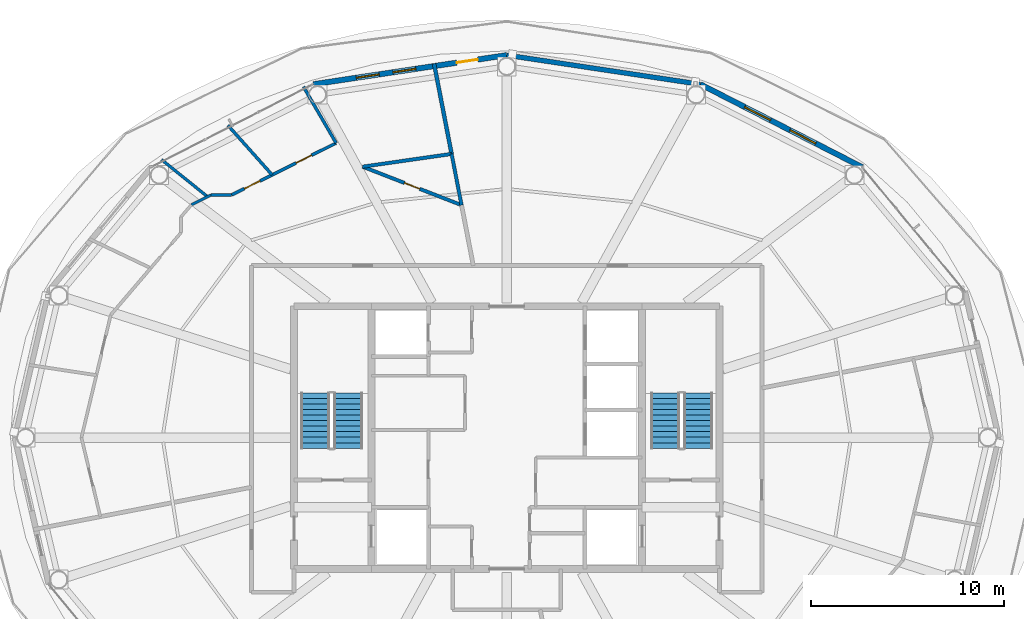
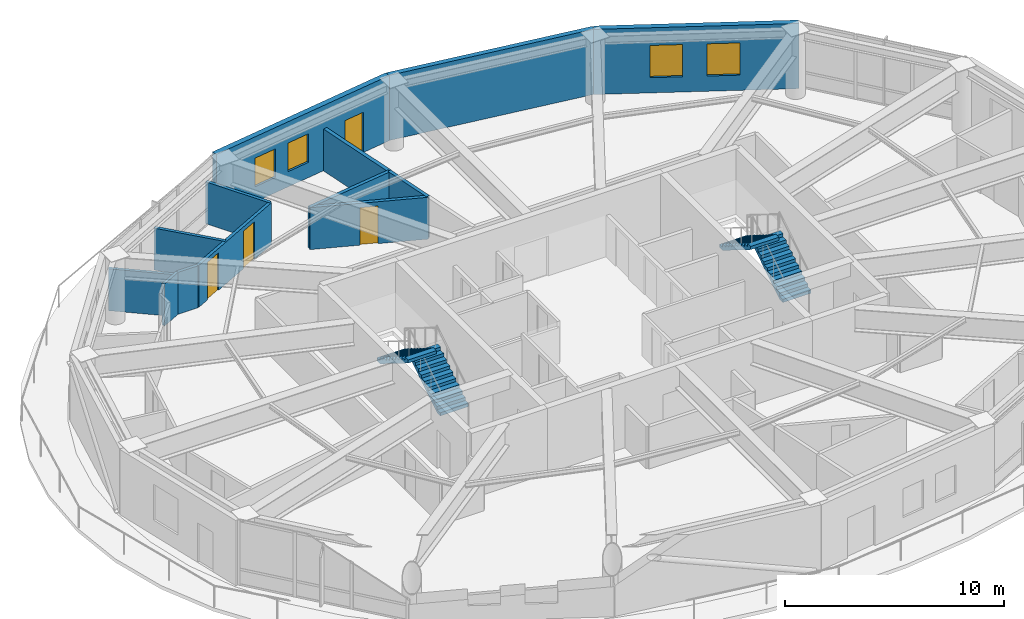
# One storey, part 21 of 24: 13 walls, 4 doors, 4 stair flights, 4 windows, 8 openings, 2 elements without a shape of their own.
"""IFC4 building model written with IfcOpenShell, lengths in metres."""

from ifc_helpers import new_model, si_unit, direction, frame, frame_2d, origin, place, context, subcontext, project, spatial, polyline, rectangle, outline, extrude, material, layer, layer_set, type_object, element, fill, aggregate, save


model = new_model("IFC4")

# Units and contexts
model_context = context("Model", 3, precision=1e-05, world=origin(), true_north=direction((0.0, 1.0)))
body_context = subcontext(model_context, "Body", "Model", "MODEL_VIEW")
ifc_project = project(units=[si_unit("LENGTHUNIT", "METRE"), si_unit("AREAUNIT", "SQUARE_METRE"), si_unit("VOLUMEUNIT", "CUBIC_METRE"), si_unit("PLANEANGLEUNIT", "RADIAN"), si_unit("MASSUNIT", "GRAM", prefix="KILO")], contexts=[model_context])

# Site, building, storey
site_placement = place(None, origin())
site = spatial("IfcSite", under=ifc_project, at=site_placement, CompositionType="ELEMENT")
building_placement = place(site_placement, origin())
building = spatial("IfcBuilding", under=site, at=building_placement, Name="Sarneth Arch Tower", CompositionType="ELEMENT")
storey_placement = place(building_placement, frame((0.0, 0.0, 312.60009765625)))
storey = spatial("IfcBuildingStorey", under=building, at=storey_placement, Name="L81", CompositionType="ELEMENT", Elevation=312.60009765625)

# Wall
ifc_material_1 = material(Name="Extruded terracotta rainscreen on Concrete C40/50 backing", Category="masonry")
ifc_layer_1 = layer(ifc_material_1, 0.25)
ifc_layer_set_1 = layer_set([ifc_layer_1], Name="Extruded terracotta rainscreen on Concrete C40/50 backing")
wall_type_1 = type_object("IfcWallType", Name="WALL-EXT-SPAND-250", PredefinedType="SOLIDWALL", material=ifc_layer_set_1)
wall_1_placement = place(storey_placement, frame((58.0126953125, 60.2744140625, 0.0), z_axis=(0.0, 0.0, 1.0), x_axis=(-0.988882522213, 0.148698881169, 0.0)))
element("IfcWall", 1, at=wall_1_placement, inside=storey, type_object=wall_type_1, Name="L81 Terracotta perimeter wall 04", PredefinedType="SOLIDWALL", context=body_context, shape_type="SweptSolid", body=[
    extrude(rectangle(XDim=10.125244140625, YDim=0.25, at=frame_2d((5.0625, 0.0))), origin(), (0.0, 0.0, 1.0), 3.639892578125),
])

# Wall, openings, windows
ifc_material_2 = material(Name="Extruded terracotta rainscreen on Concrete C40/50 backing", Category="masonry")
ifc_layer_2 = layer(ifc_material_2, 0.280029296875)
ifc_layer_set_2 = layer_set([ifc_layer_2], Name="Extruded terracotta rainscreen on Concrete C40/50 backing")
wall_type_2 = type_object("IfcWallType", Name="WALL-EXT-TERRA-280", PredefinedType="SOLIDWALL", material=ifc_layer_set_2)
wall_2_placement = place(storey_placement, frame((66.382568359375, 55.986572265625, 0.0), z_axis=(0.0, 0.0, 1.0), x_axis=(-0.890007394051, 0.455946091699, 0.0)))
wall_2 = element("IfcWall", 2, at=wall_2_placement, inside=storey, type_object=wall_type_2, Name="L81 Terracotta perimeter wall 03", PredefinedType="SOLIDWALL", context=body_context, shape_type="SweptSolid", body=[
    extrude(rectangle(XDim=9.404296875, YDim=0.280029296875, at=frame_2d((4.7021484375, 0.0))), origin(), (0.0, 0.0, 1.0), 3.639892578125),
])
opening_1_placement = place(wall_2_placement, frame((2.702880859375, 0.0, 0.85009765625)))
opening_1 = element("IfcOpeningElement", 3, at=opening_1_placement, cuts=wall_2, Name="Opening W-07", PredefinedType="OPENING", context=body_context, shape_type="SweptSolid", body=[
    extrude(rectangle(XDim=1.5, YDim=1.800048828125, at=frame_2d((0.75, 0.89990234375))), frame((0.0, 0.14990234375, 0.0), z_axis=(0.0, -1.0, 0.0), x_axis=(1.0, 0.0, 0.0)), (0.0, 0.0, 1.0), 0.300048828125),
])
opening_2_placement = place(wall_2_placement, frame((5.330078125, 0.0, 0.85009765625)))
opening_2 = element("IfcOpeningElement", 4, at=opening_2_placement, cuts=wall_2, Name="Opening W-07", PredefinedType="OPENING", context=body_context, shape_type="SweptSolid", body=[
    extrude(rectangle(XDim=1.5, YDim=1.800048828125, at=frame_2d((0.75, 0.89990234375))), frame((0.0, 0.14990234375, 0.0), z_axis=(0.0, -1.0, 0.0), x_axis=(1.0, 0.0, 0.0)), (0.0, 0.0, 1.0), 0.300048828125),
])
ifc_material_3 = material(Name="Thermally broken Aluminium 6063-T6 and low-e laminated IGU", Category="aluminium")
window_type_1 = type_object("IfcWindowType", Name="WIN-TWR-1500x1800", PartitioningType="SINGLE_PANEL", PredefinedType="WINDOW", material=ifc_material_3)
window_1_placement = place(opening_1_placement, origin())
window_1 = element("IfcWindow", 5, at=window_1_placement, inside=storey, type_object=window_type_1, Name="L81 Exterior window 03A", OverallHeight=1.800048828125, OverallWidth=1.5, PartitioningType="SINGLE_PANEL", PredefinedType="WINDOW", context=body_context, shape_type="SweptSolid", body=[
    extrude(rectangle(XDim=1.5, YDim=1.800048828125, at=frame_2d((0.75, 0.89990234375))), frame((0.0, 0.030029296875, 0.0), z_axis=(0.0, -1.0, 0.0), x_axis=(1.0, 0.0, 0.0)), (0.0, 0.0, 1.0), 0.06005859375),
])
fill(opening_1, window_1)
window_2_placement = place(opening_2_placement, origin())
window_2 = element("IfcWindow", 6, at=window_2_placement, inside=storey, type_object=window_type_1, Name="L81 Exterior window 03B", OverallHeight=1.800048828125, OverallWidth=1.5, PartitioningType="SINGLE_PANEL", PredefinedType="WINDOW", context=body_context, shape_type="SweptSolid", body=[
    extrude(rectangle(XDim=1.5, YDim=1.800048828125, at=frame_2d((0.75, 0.89990234375))), frame((0.0, 0.030029296875, 0.0), z_axis=(0.0, -1.0, 0.0), x_axis=(1.0, 0.0, 0.0)), (0.0, 0.0, 1.0), 0.06005859375),
])
fill(opening_2, window_2)

# Wall, openings, door, windows
wall_3_placement = place(storey_placement, frame((48.0, 61.780029296875, 0.0), z_axis=(0.0, 0.0, 1.0), x_axis=(-0.988882522213, -0.148698881169, 0.0)))
wall_3 = element("IfcWall", 7, at=wall_3_placement, inside=storey, type_object=wall_type_2, Name="L81 Terracotta perimeter wall 05", PredefinedType="SOLIDWALL", context=body_context, shape_type="SweptSolid", body=[
    extrude(rectangle(XDim=10.125244140625, YDim=0.280029296875, at=frame_2d((5.0625, 0.0))), origin(), (0.0, 0.0, 1.0), 3.639892578125),
])
opening_3_placement = place(wall_3_placement, frame((1.51611328125, 0.0, 0.0)))
opening_3 = element("IfcOpeningElement", 8, at=opening_3_placement, cuts=wall_3, Name="Opening BD-3", PredefinedType="OPENING", context=body_context, shape_type="SweptSolid", body=[
    extrude(rectangle(XDim=1.10009765625, YDim=2.25, at=frame_2d((0.550048828125, 1.125))), frame((0.0, 0.14990234375, 0.0), z_axis=(0.0, -1.0, 0.0), x_axis=(1.0, 0.0, 0.0)), (0.0, 0.0, 1.0), 0.300048828125),
])
opening_4_placement = place(wall_3_placement, frame((4.750244140625, 0.0, 0.85009765625)))
opening_4 = element("IfcOpeningElement", 9, at=opening_4_placement, cuts=wall_3, Name="Opening W-10", PredefinedType="OPENING", context=body_context, shape_type="SweptSolid", body=[
    extrude(rectangle(XDim=1.199951171875, YDim=1.60009765625, at=frame_2d((0.60009765625, 0.800048828125))), frame((0.0, 0.14990234375, 0.0), z_axis=(0.0, -1.0, 0.0), x_axis=(1.0, 0.0, 0.0)), (0.0, 0.0, 1.0), 0.300048828125),
])
opening_5_placement = place(wall_3_placement, frame((6.66796875, 0.0, 0.85009765625)))
opening_5 = element("IfcOpeningElement", 10, at=opening_5_placement, cuts=wall_3, Name="Opening W-10", PredefinedType="OPENING", context=body_context, shape_type="SweptSolid", body=[
    extrude(rectangle(XDim=1.199951171875, YDim=1.60009765625, at=frame_2d((0.60009765625, 0.800048828125))), frame((0.0, 0.14990234375, 0.0), z_axis=(0.0, -1.0, 0.0), x_axis=(1.0, 0.0, 0.0)), (0.0, 0.0, 1.0), 0.300048828125),
])
ifc_material_4 = material(Name="Thermally broken Aluminium 6063-T6 and laminated safety glass", Category="aluminium")
door_type_1 = type_object("IfcDoorType", Name="DR-BALC-GLZ-1100", OperationType="SINGLE_SWING_LEFT", PredefinedType="DOOR", material=ifc_material_4)
door_1_placement = place(opening_3_placement, origin())
door_1 = element("IfcDoor", 11, at=door_1_placement, inside=storey, type_object=door_type_1, Name="L81 Balcony glazed door 05", OperationType="SINGLE_SWING_LEFT", OverallHeight=2.25, OverallWidth=1.10009765625, PredefinedType="DOOR", context=body_context, shape_type="SweptSolid", body=[
    extrude(rectangle(XDim=1.10009765625, YDim=2.25, at=frame_2d((0.550048828125, 1.125))), frame((0.0, 0.02490234375, 0.0), z_axis=(0.0, -1.0, 0.0), x_axis=(1.0, 0.0, 0.0)), (0.0, 0.0, 1.0), 0.050048828125),
])
fill(opening_3, door_1)
ifc_material_5 = material(Name="Thermally broken Aluminium 6063-T6 and low-e laminated IGU", Category="aluminium")
window_type_2 = type_object("IfcWindowType", Name="WIN-TWR-1200x1600", PartitioningType="SINGLE_PANEL", PredefinedType="WINDOW", material=ifc_material_5)
window_3_placement = place(opening_4_placement, origin())
window_3 = element("IfcWindow", 12, at=window_3_placement, inside=storey, type_object=window_type_2, Name="L81 Exterior window 05A", OverallHeight=1.60009765625, OverallWidth=1.199951171875, PartitioningType="SINGLE_PANEL", PredefinedType="WINDOW", context=body_context, shape_type="SweptSolid", body=[
    extrude(rectangle(XDim=1.199951171875, YDim=1.60009765625, at=frame_2d((0.60009765625, 0.800048828125))), frame((0.0, 0.030029296875, 0.0), z_axis=(0.0, -1.0, 0.0), x_axis=(1.0, 0.0, 0.0)), (0.0, 0.0, 1.0), 0.06005859375),
])
fill(opening_4, window_3)
window_4_placement = place(opening_5_placement, origin())
window_4 = element("IfcWindow", 13, at=window_4_placement, inside=storey, type_object=window_type_2, Name="L81 Exterior window 05B", OverallHeight=1.60009765625, OverallWidth=1.199951171875, PartitioningType="SINGLE_PANEL", PredefinedType="WINDOW", context=body_context, shape_type="SweptSolid", body=[
    extrude(rectangle(XDim=1.199951171875, YDim=1.60009765625, at=frame_2d((0.60009765625, 0.800048828125))), frame((0.0, 0.030029296875, 0.0), z_axis=(0.0, -1.0, 0.0), x_axis=(1.0, 0.0, 0.0)), (0.0, 0.0, 1.0), 0.06005859375),
])
fill(opening_5, window_4)

# Walls
ifc_material_6 = material(Name="Apartment internal stud partition", Category="gypsum")
ifc_layer_3 = layer(ifc_material_6, 0.139892578125)
ifc_layer_set_3 = layer_set([ifc_layer_3], Name="Apartment internal stud partition")
wall_type_3 = type_object("IfcWallType", Name="WALL-PART-140", PredefinedType="PARTITIONING", material=ifc_layer_set_3)
wall_4_placement = place(storey_placement, frame((32.710693359375, 54.550048828125, 0.0), z_axis=(0.0, 0.0, 1.0), x_axis=(-0.895409226325, -0.445244109912, 0.0)))
element("IfcWall", 14, at=wall_4_placement, inside=storey, type_object=wall_type_3, Name="L81 Interior partition W-L81-TP-027", PredefinedType="PARTITIONING", context=body_context, shape_type="SweptSolid", body=[
    extrude(rectangle(XDim=1.14111328125, YDim=0.139892578125, at=frame_2d((0.570556640625, 0.0))), origin(), (0.0, 0.0, 1.0), 2.33984375),
])
ifc_material_7 = material(Name="Acoustic gypsum stud partition", Category="gypsum")
ifc_layer_4 = layer(ifc_material_7, 0.14990234375)
ifc_layer_set_4 = layer_set([ifc_layer_4], Name="Acoustic gypsum stud partition")
wall_type_4 = type_object("IfcWallType", Name="WALL-PART-150", PredefinedType="PARTITIONING", material=ifc_layer_set_4)
wall_5_placement = place(storey_placement, frame((30.142822265625, 56.37890625, 0.0), z_axis=(0.0, 0.0, 1.0), x_axis=(0.778865360092, -0.627191159734, 0.0)))
element("IfcWall", 15, at=wall_5_placement, inside=storey, type_object=wall_type_4, Name="L81 Interior partition W-L81-TP-037", PredefinedType="PARTITIONING", context=body_context, shape_type="SweptSolid", body=[
    extrude(rectangle(XDim=3.0615234375, YDim=0.14990234375, at=frame_2d((1.53076171875, 0.0))), origin(), (0.0, 0.0, 1.0), 2.33984375),
])
wall_6_placement = place(storey_placement, frame((32.710693359375, 54.550048828125, 0.0), z_axis=(0.0, 0.0, 1.0), x_axis=(1.0, 0.0, 0.0)))
element("IfcWall", 16, at=wall_6_placement, inside=storey, type_object=wall_type_4, Name="L81 Interior partition W-L81-TP-021", PredefinedType="PARTITIONING", context=body_context, shape_type="SweptSolid", body=[
    extrude(rectangle(XDim=1.0625, YDim=0.14990234375, at=frame_2d((0.53125, 0.0))), origin(), (0.0, 0.0, 1.0), 2.33984375),
])

# Wall, openings, doors
ifc_material_8 = material(Name="Kitchen wet service chase wall", Category="gypsum")
ifc_layer_5 = layer(ifc_material_8, 0.159912109375)
ifc_layer_set_5 = layer_set([ifc_layer_5], Name="Kitchen wet service chase wall")
wall_type_5 = type_object("IfcWallType", Name="WALL-PLUMB-160", PredefinedType="PLUMBINGWALL", material=ifc_layer_set_5)
wall_7_placement = place(storey_placement, frame((33.773193359375, 54.550048828125, 0.0), z_axis=(0.0, 0.0, 1.0), x_axis=(0.895589779493, 0.444880823219, 0.0)))
wall_7 = element("IfcWall", 17, at=wall_7_placement, inside=storey, type_object=wall_type_5, Name="L81 Interior partition W-L81-TP-023", PredefinedType="PLUMBINGWALL", context=body_context, shape_type="SweptSolid", body=[
    extrude(rectangle(XDim=6.0322265625, YDim=0.159912109375, at=frame_2d((3.01611328125, 0.0))), origin(), (0.0, 0.0, 1.0), 2.33984375),
])
opening_6_placement = place(wall_7_placement, frame((3.718017578125, 0.0, 0.0)))
opening_6 = element("IfcOpeningElement", 18, at=opening_6_placement, cuts=wall_7, Name="Opening ID-01", PredefinedType="OPENING", context=body_context, shape_type="SweptSolid", body=[
    extrude(rectangle(XDim=0.89990234375, YDim=2.10009765625, at=frame_2d((0.449951171875, 1.050048828125))), frame((0.0, 0.08984375, 0.0), z_axis=(0.0, -1.0, 0.0), x_axis=(1.0, 0.0, 0.0)), (0.0, 0.0, 1.0), 0.179931640625),
])
opening_7_placement = place(wall_7_placement, frame((0.735107421875, 0.0, 0.0)))
opening_7 = element("IfcOpeningElement", 19, at=opening_7_placement, cuts=wall_7, Name="Opening ID-01", PredefinedType="OPENING", context=body_context, shape_type="SweptSolid", body=[
    extrude(rectangle(XDim=0.89990234375, YDim=2.10009765625, at=frame_2d((0.449951171875, 1.050048828125))), frame((0.0, 0.08984375, 0.0), z_axis=(0.0, -1.0, 0.0), x_axis=(1.0, 0.0, 0.0)), (0.0, 0.0, 1.0), 0.179931640625),
])
ifc_material_9 = material(Name="Engineered hardwood flush door", Category="wood")
door_type_2 = type_object("IfcDoorType", Name="DR-INT-900", OperationType="SINGLE_SWING_LEFT", PredefinedType="DOOR", material=ifc_material_9)
door_2_placement = place(opening_6_placement, origin())
door_2 = element("IfcDoor", 20, at=door_2_placement, inside=storey, type_object=door_type_2, Name="L81 Interior door DR-L81-U2-KIT", OperationType="SINGLE_SWING_LEFT", OverallHeight=2.10009765625, OverallWidth=0.89990234375, PredefinedType="DOOR", context=body_context, shape_type="SweptSolid", body=[
    extrude(rectangle(XDim=0.89990234375, YDim=2.10009765625, at=frame_2d((0.449951171875, 1.050048828125))), frame((0.0, 0.02490234375, 0.0), z_axis=(0.0, -1.0, 0.0), x_axis=(1.0, 0.0, 0.0)), (0.0, 0.0, 1.0), 0.050048828125),
])
fill(opening_6, door_2)
door_3_placement = place(opening_7_placement, origin())
door_3 = element("IfcDoor", 21, at=door_3_placement, inside=storey, type_object=door_type_2, Name="L81 Interior door DR-L81-U2-STD", OperationType="SINGLE_SWING_RIGHT", OverallHeight=2.10009765625, OverallWidth=0.89990234375, PredefinedType="DOOR", context=body_context, shape_type="SweptSolid", body=[
    extrude(rectangle(XDim=0.89990234375, YDim=2.10009765625, at=frame_2d((0.449951171875, 1.050048828125))), frame((0.0, 0.02490234375, 0.0), z_axis=(0.0, -1.0, 0.0), x_axis=(1.0, 0.0, 0.0)), (0.0, 0.0, 1.0), 0.050048828125),
])
fill(opening_7, door_3)

# Walls
wall_8_placement = place(storey_placement, frame((35.866455078125, 55.58984375, 0.0), z_axis=(0.0, 0.0, 1.0), x_axis=(-0.665966254354, 0.745981868453, 0.0)))
element("IfcWall", 22, at=wall_8_placement, inside=storey, type_object=wall_type_5, Name="L81 Interior partition W-L81-TP-036", PredefinedType="PLUMBINGWALL", context=body_context, shape_type="SweptSolid", body=[
    extrude(rectangle(XDim=3.429443359375, YDim=0.159912109375, at=frame_2d((1.71484375, 0.0))), origin(), (0.0, 0.0, 1.0), 2.33984375),
])
wall_9_placement = place(storey_placement, frame((39.175537109375, 57.233642578125, 0.0), z_axis=(0.0, 0.0, 1.0), x_axis=(-0.501221763984, 0.865318867996, 0.0)))
element("IfcWall", 23, at=wall_9_placement, inside=storey, type_object=wall_type_5, Name="L81 Interior partition W-L81-TP-024", PredefinedType="PLUMBINGWALL", context=body_context, shape_type="SweptSolid", body=[
    extrude(rectangle(XDim=3.3720703125, YDim=0.159912109375, at=frame_2d((1.68603515625, 0.0))), origin(), (0.0, 0.0, 1.0), 2.33984375),
])

# Wall, opening, door
ifc_material_10 = material(Name="Moisture-resistant plumbing chase wall", Category="gypsum")
ifc_layer_6 = layer(ifc_material_10, 0.179931640625)
ifc_layer_set_6 = layer_set([ifc_layer_6], Name="Moisture-resistant plumbing chase wall")
wall_type_6 = type_object("IfcWallType", Name="WALL-PLUMB-180", PredefinedType="PLUMBINGWALL", material=ifc_layer_set_6)
wall_10_placement = place(storey_placement, frame((45.66259765625, 54.0244140625, 0.0), z_axis=(0.0, 0.0, 1.0), x_axis=(-0.932122259713, 0.36214374625, 0.0)))
wall_10 = element("IfcWall", 24, at=wall_10_placement, inside=storey, type_object=wall_type_6, Name="L81 Interior partition W-L81-TP-025", PredefinedType="PLUMBINGWALL", context=body_context, shape_type="SweptSolid", body=[
    extrude(rectangle(XDim=5.49169921875, YDim=0.179931640625, at=frame_2d((2.745849609375, 0.0))), origin(), (0.0, 0.0, 1.0), 2.33984375),
])
opening_8_placement = place(wall_10_placement, frame((2.32080078125, 0.0, 0.0)))
opening_8 = element("IfcOpeningElement", 25, at=opening_8_placement, cuts=wall_10, Name="Opening ID-02", PredefinedType="OPENING", context=body_context, shape_type="SweptSolid", body=[
    extrude(rectangle(XDim=0.85009765625, YDim=2.10009765625, at=frame_2d((0.425048828125, 1.050048828125))), frame((0.0, 0.099853515625, 0.0), z_axis=(0.0, -1.0, 0.0), x_axis=(1.0, 0.0, 0.0)), (0.0, 0.0, 1.0), 0.199951171875),
])
ifc_material_11 = material(Name="Moisture-resistant bathroom timber door", Category="wood")
door_type_3 = type_object("IfcDoorType", Name="DR-INT-850", OperationType="SINGLE_SWING_RIGHT", PredefinedType="DOOR", material=ifc_material_11)
door_4_placement = place(opening_8_placement, origin())
door_4 = element("IfcDoor", 26, at=door_4_placement, inside=storey, type_object=door_type_3, Name="L81 Interior door DR-L81-U2-BATH", OperationType="SINGLE_SWING_LEFT", OverallHeight=2.10009765625, OverallWidth=0.85009765625, PredefinedType="DOOR", context=body_context, shape_type="SweptSolid", body=[
    extrude(rectangle(XDim=0.85009765625, YDim=2.10009765625, at=frame_2d((0.425048828125, 1.050048828125))), frame((0.0, 0.02490234375, 0.0), z_axis=(0.0, -1.0, 0.0), x_axis=(1.0, 0.0, 0.0)), (0.0, 0.0, 1.0), 0.050048828125),
])
fill(opening_8, door_4)

# Walls
wall_11_placement = place(storey_placement, frame((40.543701171875, 56.01318359375, 0.0), z_axis=(0.0, 0.0, 1.0), x_axis=(0.989914822191, 0.141663844385, 0.0)))
element("IfcWall", 27, at=wall_11_placement, inside=storey, type_object=wall_type_6, Name="L81 Interior partition W-L81-TP-026", PredefinedType="PLUMBINGWALL", context=body_context, shape_type="SweptSolid", body=[
    extrude(rectangle(XDim=4.6513671875, YDim=0.179931640625, at=frame_2d((2.32568359375, 0.0))), origin(), (0.0, 0.0, 1.0), 2.33984375),
])
wall_12_placement = place(storey_placement, frame((45.148193359375, 56.672119140625, 0.0), z_axis=(0.0, 0.0, 1.0), x_axis=(0.19071702476, -0.981645056253, 0.0)))
element("IfcWall", 28, at=wall_12_placement, inside=storey, type_object=wall_type_6, Name="L81 Interior partition W-L81-TP-017", PredefinedType="PLUMBINGWALL", context=body_context, shape_type="SweptSolid", body=[
    extrude(rectangle(XDim=2.697265625, YDim=0.179931640625, at=frame_2d((1.3486328125, 0.0))), origin(), (0.0, 0.0, 1.0), 2.33984375),
])
ifc_material_12 = material(Name="Double steel-stud acoustic drywall", Category="steel")
ifc_layer_7 = layer(ifc_material_12, 0.199951171875)
ifc_layer_set_7 = layer_set([ifc_layer_7], Name="Double steel-stud acoustic drywall")
wall_type_7 = type_object("IfcWallType", Name="WALL-UNIT-200", PredefinedType="PARTITIONING", material=ifc_layer_set_7)
wall_13_placement = place(storey_placement, frame((44.241455078125, 61.3359375, 0.0), z_axis=(0.0, 0.0, 1.0), x_axis=(0.190846277625, -0.981619935778, 0.0)))
element("IfcWall", 29, at=wall_13_placement, inside=storey, type_object=wall_type_7, Name="L81 Interior partition W-L81-TP-015", PredefinedType="PARTITIONING", context=body_context, shape_type="SweptSolid", body=[
    extrude(rectangle(XDim=4.751220703125, YDim=0.199951171875, at=frame_2d((2.37548828125, 0.0))), origin(), (0.0, 0.0, 1.0), 2.33984375),
])

# Stair, stair flights
ifc_material_13 = material(Name="Concrete C50/60", Category="concrete")
stair_type = type_object("IfcStairType", Name="STAIR-CORE-RC", PredefinedType="HALF_TURN_STAIR", material=ifc_material_13)
stair_1_placement = place(storey_placement, origin())
stair_1 = element("IfcStair", 30, at=stair_1_placement, inside=storey, type_object=stair_type, Name="L81 Core Exit Stair 1", PredefinedType="HALF_TURN_STAIR")
ifc_material_14 = material(Name="Concrete C50/60", Category="concrete")
stair_flight_type = type_object("IfcStairFlightType", Name="FLIGHT-RC-1500", PredefinedType="STRAIGHT", material=ifc_material_14)
stair_flight_1_placement = place(storey_placement, frame((39.800048828125, 41.449951171875, 0.0), z_axis=(0.0, 0.0, 1.0), x_axis=(0.0, 1.0, 0.0)))
stair_flight_1 = element("IfcStairFlight", 31, at=stair_flight_1_placement, type_object=stair_flight_type, Name="ST-1 flight 1", NumberOfRisers=11, NumberOfTreads=10, PredefinedType="STRAIGHT", RiserHeight=0.177272727, TreadLength=0.285, context=body_context, shape_type="SweptSolid", body=[
    extrude(outline(polyline([(0.0, 0.0), (0.0, 0.17724609375), (0.284912109375, 0.17724609375), (0.284912109375, 0.3544921875), (0.570068359375, 0.3544921875), (0.570068359375, 0.53173828125), (0.85498046875, 0.53173828125), (0.85498046875, 0.708984375), (1.139892578125, 0.708984375), (1.139892578125, 0.886474609375), (1.425048828125, 0.886474609375), (1.425048828125, 1.063720703125), (1.7099609375, 1.063720703125), (1.7099609375, 1.240966796875), (1.9951171875, 1.240966796875), (1.9951171875, 1.418212890625), (2.280029296875, 1.418212890625), (2.280029296875, 1.595458984375), (2.56494140625, 1.595458984375), (2.56494140625, 1.772705078125), (2.85009765625, 1.772705078125), (2.85009765625, 1.949951171875), (2.85009765625, 1.59619140625), (0.283935546875, 0.0), (0.0, 0.0)])), frame((0.0, 0.75, 0.0), z_axis=(0.0, -1.0, 0.0), x_axis=(1.0, 0.0, 0.0)), (0.0, 0.0, 1.0), 1.5),
])
stair_flight_2_placement = place(storey_placement, frame((38.10009765625, 44.300048828125, 1.949951171875), z_axis=(0.0, 0.0, 1.0), x_axis=(0.0, -1.0, 0.0)))
stair_flight_2 = element("IfcStairFlight", 32, at=stair_flight_2_placement, type_object=stair_flight_type, Name="ST-1 flight 2", NumberOfRisers=11, NumberOfTreads=10, PredefinedType="STRAIGHT", RiserHeight=0.177272727, TreadLength=0.285, context=body_context, shape_type="SweptSolid", body=[
    extrude(outline(polyline([(0.0, 0.0), (0.0, 0.17724609375), (0.284912109375, 0.17724609375), (0.284912109375, 0.3544921875), (0.570068359375, 0.3544921875), (0.570068359375, 0.53173828125), (0.85498046875, 0.53173828125), (0.85498046875, 0.708984375), (1.139892578125, 0.708984375), (1.139892578125, 0.886474609375), (1.425048828125, 0.886474609375), (1.425048828125, 1.063720703125), (1.7099609375, 1.063720703125), (1.7099609375, 1.240966796875), (1.9951171875, 1.240966796875), (1.9951171875, 1.418212890625), (2.280029296875, 1.418212890625), (2.280029296875, 1.595458984375), (2.56494140625, 1.595458984375), (2.56494140625, 1.772705078125), (2.85009765625, 1.772705078125), (2.85009765625, 1.949951171875), (2.85009765625, 1.59619140625), (0.283935546875, 0.0), (0.0, 0.0)])), frame((0.0, 0.75, 0.0), z_axis=(0.0, -1.0, 0.0), x_axis=(1.0, 0.0, 0.0)), (0.0, 0.0, 1.0), 1.5),
])
aggregate(stair_1, [stair_flight_1, stair_flight_2])

stair_2_placement = place(storey_placement, origin())
stair_2 = element("IfcStair", 33, at=stair_2_placement, inside=storey, type_object=stair_type, Name="L81 Core Exit Stair 2", PredefinedType="HALF_TURN_STAIR")
stair_flight_3_placement = place(storey_placement, frame((57.89990234375, 41.449951171875, 0.0), z_axis=(0.0, 0.0, 1.0), x_axis=(0.0, 1.0, 0.0)))
stair_flight_3 = element("IfcStairFlight", 34, at=stair_flight_3_placement, type_object=stair_flight_type, Name="ST-2 flight 1", NumberOfRisers=11, NumberOfTreads=10, PredefinedType="STRAIGHT", RiserHeight=0.177272727, TreadLength=0.285, context=body_context, shape_type="SweptSolid", body=[
    extrude(outline(polyline([(0.0, 0.0), (0.0, 0.17724609375), (0.284912109375, 0.17724609375), (0.284912109375, 0.3544921875), (0.570068359375, 0.3544921875), (0.570068359375, 0.53173828125), (0.85498046875, 0.53173828125), (0.85498046875, 0.708984375), (1.139892578125, 0.708984375), (1.139892578125, 0.886474609375), (1.425048828125, 0.886474609375), (1.425048828125, 1.063720703125), (1.7099609375, 1.063720703125), (1.7099609375, 1.240966796875), (1.9951171875, 1.240966796875), (1.9951171875, 1.418212890625), (2.280029296875, 1.418212890625), (2.280029296875, 1.595458984375), (2.56494140625, 1.595458984375), (2.56494140625, 1.772705078125), (2.85009765625, 1.772705078125), (2.85009765625, 1.949951171875), (2.85009765625, 1.59619140625), (0.283935546875, 0.0), (0.0, 0.0)])), frame((0.0, 0.75, 0.0), z_axis=(0.0, -1.0, 0.0), x_axis=(1.0, 0.0, 0.0)), (0.0, 0.0, 1.0), 1.5),
])
stair_flight_4_placement = place(storey_placement, frame((56.199951171875, 44.300048828125, 1.949951171875), z_axis=(0.0, 0.0, 1.0), x_axis=(0.0, -1.0, 0.0)))
stair_flight_4 = element("IfcStairFlight", 35, at=stair_flight_4_placement, type_object=stair_flight_type, Name="ST-2 flight 2", NumberOfRisers=11, NumberOfTreads=10, PredefinedType="STRAIGHT", RiserHeight=0.177272727, TreadLength=0.285, context=body_context, shape_type="SweptSolid", body=[
    extrude(outline(polyline([(0.0, 0.0), (0.0, 0.17724609375), (0.284912109375, 0.17724609375), (0.284912109375, 0.3544921875), (0.570068359375, 0.3544921875), (0.570068359375, 0.53173828125), (0.85498046875, 0.53173828125), (0.85498046875, 0.708984375), (1.139892578125, 0.708984375), (1.139892578125, 0.886474609375), (1.425048828125, 0.886474609375), (1.425048828125, 1.063720703125), (1.7099609375, 1.063720703125), (1.7099609375, 1.240966796875), (1.9951171875, 1.240966796875), (1.9951171875, 1.418212890625), (2.280029296875, 1.418212890625), (2.280029296875, 1.595458984375), (2.56494140625, 1.595458984375), (2.56494140625, 1.772705078125), (2.85009765625, 1.772705078125), (2.85009765625, 1.949951171875), (2.85009765625, 1.59619140625), (0.283935546875, 0.0), (0.0, 0.0)])), frame((0.0, 0.75, 0.0), z_axis=(0.0, -1.0, 0.0), x_axis=(1.0, 0.0, 0.0)), (0.0, 0.0, 1.0), 1.5),
])
aggregate(stair_2, [stair_flight_3, stair_flight_4])

save(model, "model.ifc")
